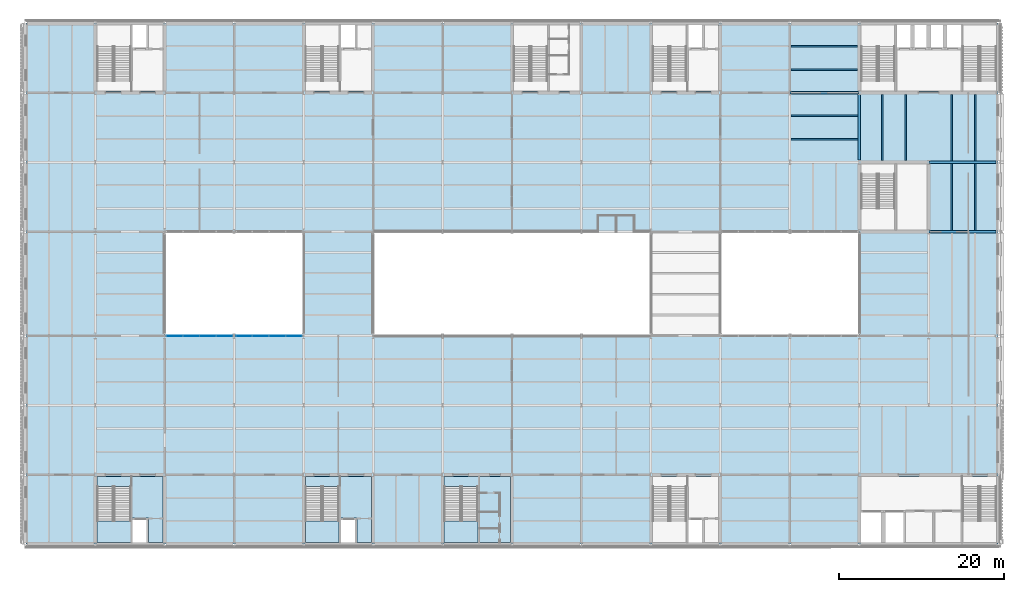
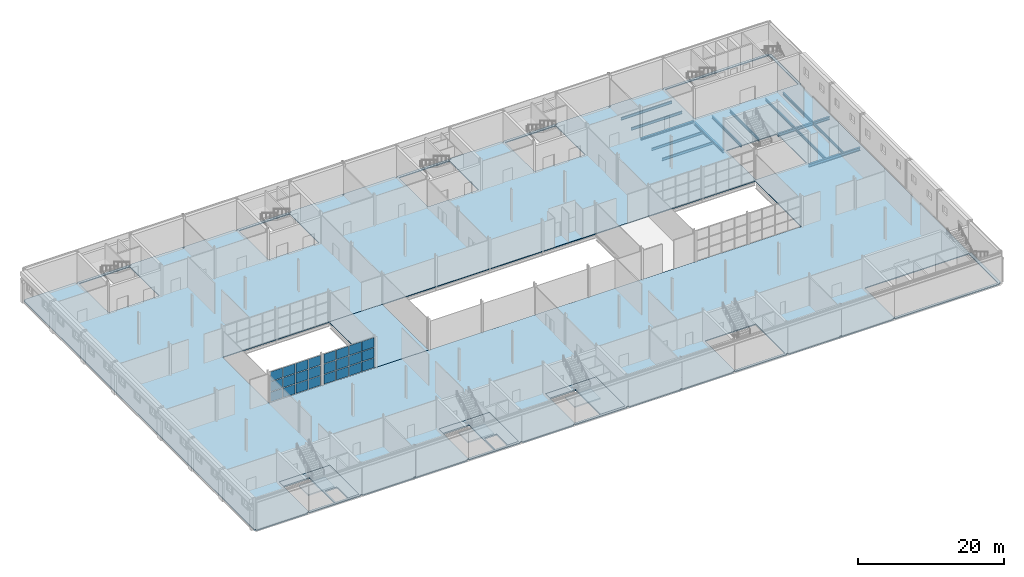
# One storey, part 25 of 57: 24 plates, 14 beams, 8 slabs, 5 elements without a shape of their own.
"""IFC4 building model written with IfcOpenShell, lengths in metres."""

from ifc_helpers import new_model, si_unit, direction, frame, origin, origin_2d, place, context, subcontext, project, spatial, polyline, rectangle, i_section, outline, extrude, material, layer, layer_set, material_profile, profile_set, type_object, element, aggregate, save


model = new_model("IFC4")

# Units and contexts
model_context = context("Model", 3, precision=1e-05, world=origin(), true_north=direction((0.0, 1.0)))
body_context = subcontext(model_context, "Body", "Model", "MODEL_VIEW")
ifc_project = project(units=[si_unit("LENGTHUNIT", "METRE"), si_unit("AREAUNIT", "SQUARE_METRE"), si_unit("VOLUMEUNIT", "CUBIC_METRE"), si_unit("PLANEANGLEUNIT", "RADIAN"), si_unit("MASSUNIT", "GRAM", prefix="KILO")], contexts=[model_context])

# Site, building, storey
site_placement = place(None, origin())
site = spatial("IfcSite", under=ifc_project, at=site_placement, CompositionType="ELEMENT")
building_placement = place(site_placement, origin())
building = spatial("IfcBuilding", under=site, at=building_placement, Name="Galleria Vessillo Department Store", CompositionType="ELEMENT")
storey_placement = place(building_placement, frame((0.0, 0.0, 25.800048828125)))
storey = spatial("IfcBuildingStorey", under=building, at=storey_placement, Name="L05", CompositionType="ELEMENT", Elevation=25.800048828125)

# Beams
ifc_material_1 = material(Name="Steel S355 J2", Category="steel")
ifc_material_profile_1 = material_profile(ifc_material_1, i_section(OverallWidth=0.300048828125, OverallDepth=0.489990234375, WebThickness=0.011962890625, FlangeThickness=0.02294921875, FilletRadius=0.027099609375, at=origin_2d()), Name="HEA 500")
ifc_profile_set_1 = profile_set([ifc_material_profile_1], Name="Steel S355 J2")
beam_type_1 = type_object("IfcBeamType", Name="Floor girder HEA 500", PredefinedType="BEAM", material=ifc_profile_set_1)
beam_1_placement = place(storey_placement, frame((109.210693359375, 46.199951171875, -0.39501953125), z_axis=(1.0, 0.0, 0.0), x_axis=(0.0, 1.0, 0.0)))
element("IfcBeam", 1, at=beam_1_placement, inside=storey, type_object=beam_type_1, Name="S-BM-L05-GI-x46200-109211", PredefinedType="BEAM", context=body_context, shape_type="SweptSolid", body=[
    extrude(i_section(OverallWidth=0.300048828125, OverallDepth=0.489990234375, WebThickness=0.011962890625, FlangeThickness=0.02294921875, FilletRadius=0.027099609375, at=origin_2d()), origin(), (0.0, 0.0, 1.0), 8.150146484375),
])
beam_2_placement = place(storey_placement, frame((100.800048828125, 46.439208984375, -0.39501953125), z_axis=(0.0, 1.0, 0.0), x_axis=(-1.0, 0.0, 0.0)))
element("IfcBeam", 2, at=beam_2_placement, inside=storey, type_object=beam_type_1, Name="S-BM-L05-GI-y100800-46439", PredefinedType="BEAM", context=body_context, shape_type="SweptSolid", body=[
    extrude(i_section(OverallWidth=0.300048828125, OverallDepth=0.489990234375, WebThickness=0.011962890625, FlangeThickness=0.02294921875, FilletRadius=0.027099609375, at=origin_2d()), origin(), (0.0, 0.0, 1.0), 7.921630859375),
])
ifc_material_2 = material(Name="Steel S355 J2", Category="steel")
ifc_material_profile_2 = material_profile(ifc_material_2, i_section(OverallWidth=0.300048828125, OverallDepth=0.5400390625, WebThickness=0.012451171875, FlangeThickness=0.02392578125, FilletRadius=0.027099609375, at=origin_2d()), Name="HEA 550")
ifc_profile_set_2 = profile_set([ifc_material_profile_2], Name="Steel S355 J2")
beam_type_2 = type_object("IfcBeamType", Name="Floor girder HEA 550", PredefinedType="BEAM", material=ifc_profile_set_2)
beam_3_placement = place(storey_placement, frame((109.210693359375, 37.800048828125, -0.419921875), z_axis=(1.0, 0.0, 0.0), x_axis=(0.0, 1.0, 0.0)))
element("IfcBeam", 3, at=beam_3_placement, inside=storey, type_object=beam_type_2, Name="S-BM-L05-GI-x37800-109211", PredefinedType="BEAM", context=body_context, shape_type="SweptSolid", body=[
    extrude(i_section(OverallWidth=0.300048828125, OverallDepth=0.5400390625, WebThickness=0.012451171875, FlangeThickness=0.02392578125, FilletRadius=0.027099609375, at=origin_2d()), origin(), (0.0, 0.0, 1.0), 8.150146484375),
])
ifc_material_3 = material(Name="Steel S355 J2", Category="steel")
ifc_material_profile_3 = material_profile(ifc_material_3, i_section(OverallWidth=0.18994140625, OverallDepth=0.449951171875, WebThickness=0.009521484375, FlangeThickness=0.0146484375, FilletRadius=0.02099609375, at=origin_2d()), Name="IPE 450")
ifc_profile_set_3 = profile_set([ifc_material_profile_3], Name="Steel S355 J2")
beam_type_3 = type_object("IfcBeamType", Name="Floor joist IPE 450", PredefinedType="JOIST", material=ifc_profile_set_3)
for number, where, z_axis, x_axis, name in (
    (4, (92.550048828125, 49.0, -0.375), (1.0, 0.0, 0.0), (0.0, 1.0, 0.0), "S-BM-L05-JO-x49000-92550"),
    (5, (92.550048828125, 51.800048828125, -0.375), (1.0, 0.0, 0.0), (0.0, 1.0, 0.0), "S-BM-L05-JO-x51800-92550"),
):
    element("IfcBeam", number, at=place(storey_placement, frame(where, z_axis=z_axis, x_axis=x_axis)), inside=storey, type_object=beam_type_3, Name=name, PredefinedType="JOIST", context=body_context, shape_type="SweptSolid", body=[
        extrude(i_section(OverallWidth=0.18994140625, OverallDepth=0.449951171875, WebThickness=0.009521484375, FlangeThickness=0.0146484375, FilletRadius=0.02099609375, at=origin_2d()), origin(), (0.0, 0.0, 1.0), 8.099853515625),
    ])
for number, where, z_axis, x_axis, name in (
    (6, (92.550048828125, 57.39990234375, -0.375), (1.0, 0.0, 0.0), (0.0, 1.0, 0.0), "S-BM-L05-JO-x57400-92550"),
    (7, (92.550048828125, 60.199951171875, -0.375), (1.0, 0.0, 0.0), (0.0, 1.0, 0.0), "S-BM-L05-JO-x60200-92550"),
):
    element("IfcBeam", number, at=place(storey_placement, frame(where, z_axis=z_axis, x_axis=x_axis)), inside=storey, type_object=beam_type_3, Name=name, PredefinedType="JOIST", context=body_context, shape_type="SweptSolid", body=[
        extrude(i_section(OverallWidth=0.18994140625, OverallDepth=0.449951171875, WebThickness=0.009521484375, FlangeThickness=0.0146484375, FilletRadius=0.02099609375, at=origin_2d()), origin(), (0.0, 0.0, 1.0), 8.0498046875),
    ])
for number, where, z_axis, x_axis, name in (
    (8, (103.60009765625, 46.400146484375, -0.375), (0.0, 1.0, 0.0), (-1.0, 0.0, 0.0), "S-BM-L05-JO-y103600-46400"),
    (9, (106.39990234375, 46.400146484375, -0.375), (0.0, 1.0, 0.0), (-1.0, 0.0, 0.0), "S-BM-L05-JO-y106400-46400"),
):
    element("IfcBeam", number, at=place(storey_placement, frame(where, z_axis=z_axis, x_axis=x_axis)), inside=storey, type_object=beam_type_3, Name=name, PredefinedType="JOIST", context=body_context, shape_type="SweptSolid", body=[
        extrude(i_section(OverallWidth=0.18994140625, OverallDepth=0.449951171875, WebThickness=0.009521484375, FlangeThickness=0.0146484375, FilletRadius=0.02099609375, at=origin_2d()), origin(), (0.0, 0.0, 1.0), 7.999755859375),
    ])
for number, where, z_axis, x_axis, name in (
    (10, (112.0, 37.9501953125, -0.375), (0.0, 1.0, 0.0), (-1.0, 0.0, 0.0), "S-BM-L05-JO-y112000-37950"),
    (11, (114.800048828125, 37.9501953125, -0.375), (0.0, 1.0, 0.0), (-1.0, 0.0, 0.0), "S-BM-L05-JO-y114800-37950"),
):
    element("IfcBeam", number, at=place(storey_placement, frame(where, z_axis=z_axis, x_axis=x_axis)), inside=storey, type_object=beam_type_3, Name=name, PredefinedType="JOIST", context=body_context, shape_type="SweptSolid", body=[
        extrude(i_section(OverallWidth=0.18994140625, OverallDepth=0.449951171875, WebThickness=0.009521484375, FlangeThickness=0.0146484375, FilletRadius=0.02099609375, at=origin_2d()), origin(), (0.0, 0.0, 1.0), 8.099609375),
    ])
for number, where, z_axis, x_axis, name in (
    (12, (112.0, 46.35009765625, -0.375), (0.0, 1.0, 0.0), (-1.0, 0.0, 0.0), "S-BM-L05-JO-y112000-46350"),
    (13, (114.800048828125, 46.35009765625, -0.375), (0.0, 1.0, 0.0), (-1.0, 0.0, 0.0), "S-BM-L05-JO-y114800-46350"),
):
    element("IfcBeam", number, at=place(storey_placement, frame(where, z_axis=z_axis, x_axis=x_axis)), inside=storey, type_object=beam_type_3, Name=name, PredefinedType="JOIST", context=body_context, shape_type="SweptSolid", body=[
        extrude(i_section(OverallWidth=0.18994140625, OverallDepth=0.449951171875, WebThickness=0.009521484375, FlangeThickness=0.0146484375, FilletRadius=0.02099609375, at=origin_2d()), origin(), (0.0, 0.0, 1.0), 8.0498046875),
    ])
ifc_material_4 = material(Name="Steel S355 J2", Category="steel")
ifc_material_profile_4 = material_profile(ifc_material_4, i_section(OverallWidth=0.300048828125, OverallDepth=0.35009765625, WebThickness=0.010009765625, FlangeThickness=0.017578125, FilletRadius=0.027099609375, at=origin_2d()), Name="HEA 360")
ifc_profile_set_4 = profile_set([ifc_material_profile_4], Name="Steel S355 J2")
beam_type_4 = type_object("IfcBeamType", Name="Floor tie girder HEA 360", PredefinedType="BEAM", material=ifc_profile_set_4)
beam_4_placement = place(storey_placement, frame((92.41064453125, 54.60009765625, -0.324951171875), z_axis=(1.0, 0.0, 0.0), x_axis=(0.0, 1.0, 0.0)))
element("IfcBeam", 14, at=beam_4_placement, inside=storey, type_object=beam_type_4, Name="S-BM-L05-TI-x54600-92411", PredefinedType="BEAM", context=body_context, shape_type="SweptSolid", body=[
    extrude(i_section(OverallWidth=0.300048828125, OverallDepth=0.35009765625, WebThickness=0.010009765625, FlangeThickness=0.017578125, FilletRadius=0.027099609375, at=origin_2d()), origin(), (0.0, 0.0, 1.0), 8.378662109375),
])

# Slabs
ifc_material_5 = material(Name="Concrete C32/40 composite on steel deck", Category="concrete")
ifc_layer_1 = layer(ifc_material_5, 0.14990234375)
ifc_layer_set_1 = layer_set([ifc_layer_1], Name="Concrete C32/40 composite on steel deck")
slab_type_1 = type_object("IfcSlabType", Name="Composite bridge slab 150 mm", PredefinedType="FLOOR", material=ifc_layer_set_1)
slab_1_placement = place(storey_placement, frame((0.0, 0.0, -0.14990234375)))
element("IfcSlab", 15, at=slab_1_placement, inside=storey, type_object=slab_type_1, Name="S-SLAB-L05-BRIDGE-W", PredefinedType="FLOOR", context=body_context, shape_type="SweptSolid", body=[
    extrude(outline(polyline([(42.0, 25.199951171875), (42.0, 37.800048828125), (33.60009765625, 37.800048828125), (33.60009765625, 25.199951171875), (42.0, 25.199951171875)])), origin(), (0.0, 0.0, 1.0), 0.14990234375),
])
ifc_material_6 = material(Name="Concrete C32/40 composite on steel deck", Category="concrete")
ifc_layer_2 = layer(ifc_material_6, 0.14990234375)
ifc_layer_set_2 = layer_set([ifc_layer_2], Name="Concrete C32/40 composite on steel deck")
slab_type_2 = type_object("IfcSlabType", Name="Composite floor slab 150 mm", PredefinedType="FLOOR", material=ifc_layer_set_2)
slab_2_placement = place(storey_placement, frame((0.0, 0.0, -0.14990234375)))
element("IfcSlab", 16, at=slab_2_placement, inside=storey, type_object=slab_type_2, Name="S-SLAB-L05-FLOOR", PredefinedType="FLOOR", context=body_context, shape_type="SweptSolid", body=[
    extrude(outline(polyline([(84.154052734375, 0.0), (83.849365234375, 0.0), (83.849365234375, -0.199462890625), (75.750732421875, -0.199462890625), (75.750732421875, 0.0), (75.449462890625, 0.0), (75.449462890625, -0.24951171875), (58.95068359375, -0.24951171875), (58.95068359375, 0.0), (58.6494140625, 0.0), (58.6494140625, -0.199462890625), (50.550537109375, -0.199462890625), (50.550537109375, 0.0), (50.249267578125, 0.0), (50.249267578125, -0.24951171875), (42.150634765625, -0.24951171875), (42.150634765625, 0.0), (41.849365234375, 0.0), (41.849365234375, -0.199462890625), (33.750732421875, -0.199462890625), (33.750732421875, 0.0), (33.449462890625, 0.0), (33.449462890625, -0.24951171875), (16.95068359375, -0.24951171875), (16.95068359375, 0.0), (16.6494140625, 0.0), (16.6494140625, -0.199462890625), (8.550537109375, -0.199462890625), (8.550537109375, 0.0), (8.249267578125, 0.0), (8.249267578125, -0.24951171875), (0.20068359375, -0.24951171875), (0.20068359375, 0.0), (0.0, 0.0), (0.0, 63.0), (0.20068359375, 63.0), (0.20068359375, 63.24951171875), (8.249267578125, 63.24951171875), (8.249267578125, 63.0), (8.550537109375, 63.0), (8.550537109375, 63.199462890625), (16.6494140625, 63.199462890625), (16.6494140625, 63.0), (16.95068359375, 63.0), (16.95068359375, 63.24951171875), (33.449462890625, 63.24951171875), (33.449462890625, 63.0), (33.750732421875, 63.0), (33.750732421875, 63.199462890625), (41.849365234375, 63.199462890625), (41.849365234375, 63.0), (42.150634765625, 63.0), (42.150634765625, 63.24951171875), (58.6494140625, 63.24951171875), (58.6494140625, 63.0), (58.95068359375, 63.0), (58.95068359375, 63.199462890625), (67.04931640625, 63.199462890625), (67.04931640625, 63.0), (67.3505859375, 63.0), (67.3505859375, 63.24951171875), (75.449462890625, 63.24951171875), (75.449462890625, 63.0), (75.750732421875, 63.0), (75.750732421875, 63.199462890625), (83.845947265625, 63.199462890625), (83.845947265625, 63.0), (84.154052734375, 63.0), (84.154052734375, 63.24951171875), (100.64599609375, 63.24951171875), (100.64599609375, 63.0), (100.9541015625, 63.0), (100.9541015625, 63.199462890625), (117.360595703125, 63.199462890625), (117.360595703125, 63.0), (117.60009765625, 63.0), (117.60009765625, 62.845947265625), (117.79931640625, 62.845947265625), (117.79931640625, 54.754150390625), (117.60009765625, 54.754150390625), (117.60009765625, 8.249267578125), (117.79931640625, 8.249267578125), (117.79931640625, 0.150634765625), (117.60009765625, 0.150634765625), (117.60009765625, 0.0), (117.3994140625, 0.0), (117.3994140625, -0.150634765625), (117.400146484375, -0.199462890625), (100.95068359375, -0.199462890625), (100.95068359375, 0.0), (100.64599609375, 0.0), (100.64599609375, -0.24951171875), (84.154052734375, -0.24951171875), (84.154052734375, 0.0)]), holes=[polyline([(101.0, 54.800048828125), (117.400146484375, 54.800048828125), (117.400146484375, 62.800048828125), (101.0, 62.800048828125), (101.0, 54.800048828125)]), polyline([(101.0, 0.199951171875), (117.400146484375, 0.199951171875), (117.400146484375, 8.199951171875), (101.0, 8.199951171875), (101.0, 0.199951171875)]), polyline([(109.0, 38.0), (109.0, 46.0), (101.0, 46.0), (101.0, 38.0), (109.0, 38.0)]), polyline([(100.800048828125, 25.199951171875), (100.800048828125, 37.800048828125), (16.800048828125, 37.800048828125), (16.800048828125, 25.199951171875), (100.800048828125, 25.199951171875)]), polyline([(92.553955078125, 63.239501953125), (92.245849609375, 63.239501953125), (92.245849609375, 63.0), (92.553955078125, 63.0), (92.553955078125, 63.239501953125)]), polyline([(92.249267578125, -0.20068359375), (92.550537109375, -0.20068359375), (92.550537109375, 0.0), (92.249267578125, 0.0), (92.249267578125, -0.20068359375)]), polyline([(75.800048828125, 54.800048828125), (83.800048828125, 54.800048828125), (83.800048828125, 62.800048828125), (75.800048828125, 62.800048828125), (75.800048828125, 54.800048828125)]), polyline([(75.800048828125, 0.199951171875), (83.800048828125, 0.199951171875), (83.800048828125, 8.199951171875), (75.800048828125, 8.199951171875), (75.800048828125, 0.199951171875)]), polyline([(67.3505859375, -0.20068359375), (67.3505859375, 0.0), (67.04931640625, 0.0), (67.04931640625, -0.20068359375), (67.3505859375, -0.20068359375)]), polyline([(67.0, 54.800048828125), (67.0, 62.800048828125), (59.0, 62.800048828125), (59.0, 54.800048828125), (67.0, 54.800048828125)]), polyline([(58.60009765625, 0.199951171875), (58.60009765625, 8.199951171875), (50.599853515625, 8.199951171875), (50.599853515625, 0.199951171875), (58.60009765625, 0.199951171875)]), polyline([(50.249267578125, 63.0), (50.550537109375, 63.0), (50.550537109375, 63.20068359375), (50.249267578125, 63.20068359375), (50.249267578125, 63.0)]), polyline([(41.800048828125, 0.199951171875), (41.800048828125, 8.199951171875), (33.800048828125, 8.199951171875), (33.800048828125, 0.199951171875), (41.800048828125, 0.199951171875)]), polyline([(33.800048828125, 54.800048828125), (41.800048828125, 54.800048828125), (41.800048828125, 62.800048828125), (33.800048828125, 62.800048828125), (33.800048828125, 54.800048828125)]), polyline([(25.3505859375, 63.0), (25.3505859375, 63.20068359375), (25.04931640625, 63.20068359375), (25.04931640625, 63.0), (25.3505859375, 63.0)]), polyline([(25.04931640625, 0.0), (25.04931640625, -0.20068359375), (25.3505859375, -0.20068359375), (25.3505859375, 0.0), (25.04931640625, 0.0)]), polyline([(8.599853515625, 54.800048828125), (16.60009765625, 54.800048828125), (16.60009765625, 62.800048828125), (8.599853515625, 62.800048828125), (8.599853515625, 54.800048828125)]), polyline([(16.60009765625, 0.199951171875), (16.60009765625, 8.199951171875), (8.599853515625, 8.199951171875), (8.599853515625, 0.199951171875), (16.60009765625, 0.199951171875)])]), origin(), (0.0, 0.0, 1.0), 0.14990234375),
])

# Curtain wall, plates
ifc_material_7 = material(Name="Steel and fire-resisting glass curtain wall", Category="steel")
ifc_layer_3 = layer(ifc_material_7, 0.199951171875)
ifc_layer_set_3 = layer_set([ifc_layer_3], Name="Steel and fire-resisting glass curtain wall")
curtain_wall_type = type_object("IfcCurtainWallType", Name="Arcade fire-resisting glazed shopfront EI 120-Sa", PredefinedType="NOTDEFINED", material=ifc_layer_set_3)
curtain_wall_1_placement = place(storey_placement, origin())
curtain_wall_1 = element("IfcCurtainWall", 17, at=curtain_wall_1_placement, inside=storey, type_object=curtain_wall_type, Name="Arcade fire-resisting glazed shopfront EI 120-Sa AI-AW-S-L05-01", PredefinedType="NOTDEFINED")
ifc_material_8 = material(Name="Fire-resisting laminated glass EI 120", Category="glass")
ifc_layer_4 = layer(ifc_material_8, 0.052001953125)
ifc_layer_set_4 = layer_set([ifc_layer_4], Name="Fire-resisting laminated glass EI 120")
plate_type = type_object("IfcPlateType", Name="Fire-resisting glass panel 52 mm EI 120", PredefinedType="CURTAIN_PANEL", material=ifc_layer_set_4)
plate_1_placement = place(storey_placement, frame((17.989501953125, 25.199951171875, 0.10009765625), z_axis=(0.0, 0.0, 1.0), x_axis=(1.0, 0.0, 0.0)))
plate_1 = element("IfcPlate", 18, at=plate_1_placement, type_object=plate_type, Name="CW7 panel 1.1", PredefinedType="CURTAIN_PANEL", context=body_context, shape_type="SweptSolid", body=[
    extrude(rectangle(XDim=1.87353515625, YDim=0.052001953125, at=origin_2d()), origin(), (0.0, 0.0, 1.0), 1.583251953125),
])
plate_2_placement = place(storey_placement, frame((17.989501953125, 25.199951171875, 1.783447265625), z_axis=(0.0, 0.0, 1.0), x_axis=(1.0, 0.0, 0.0)))
plate_2 = element("IfcPlate", 19, at=plate_2_placement, type_object=plate_type, Name="CW7 panel 1.2", PredefinedType="CURTAIN_PANEL", context=body_context, shape_type="SweptSolid", body=[
    extrude(rectangle(XDim=1.87353515625, YDim=0.052001953125, at=origin_2d()), origin(), (0.0, 0.0, 1.0), 1.63330078125),
])
plate_3_placement = place(storey_placement, frame((17.989501953125, 25.199951171875, 3.5166015625), z_axis=(0.0, 0.0, 1.0), x_axis=(1.0, 0.0, 0.0)))
plate_3 = element("IfcPlate", 20, at=plate_3_placement, type_object=plate_type, Name="CW7 panel 1.3", PredefinedType="CURTAIN_PANEL", context=body_context, shape_type="SweptSolid", body=[
    extrude(rectangle(XDim=1.87353515625, YDim=0.052001953125, at=origin_2d()), origin(), (0.0, 0.0, 1.0), 1.583251953125),
])
plate_4_placement = place(storey_placement, frame((19.988037109375, 25.199951171875, 0.10009765625), z_axis=(0.0, 0.0, 1.0), x_axis=(1.0, 0.0, 0.0)))
plate_4 = element("IfcPlate", 21, at=plate_4_placement, type_object=plate_type, Name="CW7 panel 2.1", PredefinedType="CURTAIN_PANEL", context=body_context, shape_type="SweptSolid", body=[
    extrude(rectangle(XDim=1.923583984375, YDim=0.052001953125, at=origin_2d()), origin(), (0.0, 0.0, 1.0), 1.583251953125),
])
plate_5_placement = place(storey_placement, frame((19.988037109375, 25.199951171875, 1.783447265625), z_axis=(0.0, 0.0, 1.0), x_axis=(1.0, 0.0, 0.0)))
plate_5 = element("IfcPlate", 22, at=plate_5_placement, type_object=plate_type, Name="CW7 panel 2.2", PredefinedType="CURTAIN_PANEL", context=body_context, shape_type="SweptSolid", body=[
    extrude(rectangle(XDim=1.923583984375, YDim=0.052001953125, at=origin_2d()), origin(), (0.0, 0.0, 1.0), 1.63330078125),
])
plate_6_placement = place(storey_placement, frame((19.988037109375, 25.199951171875, 3.5166015625), z_axis=(0.0, 0.0, 1.0), x_axis=(1.0, 0.0, 0.0)))
plate_6 = element("IfcPlate", 23, at=plate_6_placement, type_object=plate_type, Name="CW7 panel 2.3", PredefinedType="CURTAIN_PANEL", context=body_context, shape_type="SweptSolid", body=[
    extrude(rectangle(XDim=1.923583984375, YDim=0.052001953125, at=origin_2d()), origin(), (0.0, 0.0, 1.0), 1.583251953125),
])
plate_7_placement = place(storey_placement, frame((22.011474609375, 25.199951171875, 0.10009765625), z_axis=(0.0, 0.0, 1.0), x_axis=(1.0, 0.0, 0.0)))
plate_7 = element("IfcPlate", 24, at=plate_7_placement, type_object=plate_type, Name="CW7 panel 3.1", PredefinedType="CURTAIN_PANEL", context=body_context, shape_type="SweptSolid", body=[
    extrude(rectangle(XDim=1.923583984375, YDim=0.052001953125, at=origin_2d()), origin(), (0.0, 0.0, 1.0), 1.583251953125),
])
plate_8_placement = place(storey_placement, frame((22.011474609375, 25.199951171875, 1.783447265625), z_axis=(0.0, 0.0, 1.0), x_axis=(1.0, 0.0, 0.0)))
plate_8 = element("IfcPlate", 25, at=plate_8_placement, type_object=plate_type, Name="CW7 panel 3.2", PredefinedType="CURTAIN_PANEL", context=body_context, shape_type="SweptSolid", body=[
    extrude(rectangle(XDim=1.923583984375, YDim=0.052001953125, at=origin_2d()), origin(), (0.0, 0.0, 1.0), 1.63330078125),
])
plate_9_placement = place(storey_placement, frame((22.011474609375, 25.199951171875, 3.5166015625), z_axis=(0.0, 0.0, 1.0), x_axis=(1.0, 0.0, 0.0)))
plate_9 = element("IfcPlate", 26, at=plate_9_placement, type_object=plate_type, Name="CW7 panel 3.3", PredefinedType="CURTAIN_PANEL", context=body_context, shape_type="SweptSolid", body=[
    extrude(rectangle(XDim=1.923583984375, YDim=0.052001953125, at=origin_2d()), origin(), (0.0, 0.0, 1.0), 1.583251953125),
])
plate_10_placement = place(storey_placement, frame((24.010009765625, 25.199951171875, 0.10009765625), z_axis=(0.0, 0.0, 1.0), x_axis=(1.0, 0.0, 0.0)))
plate_10 = element("IfcPlate", 27, at=plate_10_placement, type_object=plate_type, Name="CW7 panel 4.1", PredefinedType="CURTAIN_PANEL", context=body_context, shape_type="SweptSolid", body=[
    extrude(rectangle(XDim=1.87353515625, YDim=0.052001953125, at=origin_2d()), origin(), (0.0, 0.0, 1.0), 1.583251953125),
])
plate_11_placement = place(storey_placement, frame((24.010009765625, 25.199951171875, 1.783447265625), z_axis=(0.0, 0.0, 1.0), x_axis=(1.0, 0.0, 0.0)))
plate_11 = element("IfcPlate", 28, at=plate_11_placement, type_object=plate_type, Name="CW7 panel 4.2", PredefinedType="CURTAIN_PANEL", context=body_context, shape_type="SweptSolid", body=[
    extrude(rectangle(XDim=1.87353515625, YDim=0.052001953125, at=origin_2d()), origin(), (0.0, 0.0, 1.0), 1.63330078125),
])
plate_12_placement = place(storey_placement, frame((24.010009765625, 25.199951171875, 3.5166015625), z_axis=(0.0, 0.0, 1.0), x_axis=(1.0, 0.0, 0.0)))
plate_12 = element("IfcPlate", 29, at=plate_12_placement, type_object=plate_type, Name="CW7 panel 4.3", PredefinedType="CURTAIN_PANEL", context=body_context, shape_type="SweptSolid", body=[
    extrude(rectangle(XDim=1.87353515625, YDim=0.052001953125, at=origin_2d()), origin(), (0.0, 0.0, 1.0), 1.583251953125),
])
aggregate(curtain_wall_1, [plate_1, plate_2, plate_3, plate_4, plate_5, plate_6, plate_7, plate_8, plate_9, plate_10, plate_11, plate_12])

curtain_wall_2_placement = place(storey_placement, origin())
curtain_wall_2 = element("IfcCurtainWall", 30, at=curtain_wall_2_placement, inside=storey, type_object=curtain_wall_type, Name="Arcade fire-resisting glazed shopfront EI 120-Sa AI-AW-S-L05-02", PredefinedType="NOTDEFINED")
plate_13_placement = place(storey_placement, frame((26.389892578125, 25.199951171875, 0.10009765625), z_axis=(0.0, 0.0, 1.0), x_axis=(1.0, 0.0, 0.0)))
plate_13 = element("IfcPlate", 31, at=plate_13_placement, type_object=plate_type, Name="CW7 panel 1.1", PredefinedType="CURTAIN_PANEL", context=body_context, shape_type="SweptSolid", body=[
    extrude(rectangle(XDim=1.87353515625, YDim=0.052001953125, at=origin_2d()), origin(), (0.0, 0.0, 1.0), 1.583251953125),
])
plate_14_placement = place(storey_placement, frame((26.389892578125, 25.199951171875, 1.783447265625), z_axis=(0.0, 0.0, 1.0), x_axis=(1.0, 0.0, 0.0)))
plate_14 = element("IfcPlate", 32, at=plate_14_placement, type_object=plate_type, Name="CW7 panel 1.2", PredefinedType="CURTAIN_PANEL", context=body_context, shape_type="SweptSolid", body=[
    extrude(rectangle(XDim=1.87353515625, YDim=0.052001953125, at=origin_2d()), origin(), (0.0, 0.0, 1.0), 1.63330078125),
])
plate_15_placement = place(storey_placement, frame((26.389892578125, 25.199951171875, 3.5166015625), z_axis=(0.0, 0.0, 1.0), x_axis=(1.0, 0.0, 0.0)))
plate_15 = element("IfcPlate", 33, at=plate_15_placement, type_object=plate_type, Name="CW7 panel 1.3", PredefinedType="CURTAIN_PANEL", context=body_context, shape_type="SweptSolid", body=[
    extrude(rectangle(XDim=1.87353515625, YDim=0.052001953125, at=origin_2d()), origin(), (0.0, 0.0, 1.0), 1.583251953125),
])
plate_16_placement = place(storey_placement, frame((28.388427734375, 25.199951171875, 0.10009765625), z_axis=(0.0, 0.0, 1.0), x_axis=(1.0, 0.0, 0.0)))
plate_16 = element("IfcPlate", 34, at=plate_16_placement, type_object=plate_type, Name="CW7 panel 2.1", PredefinedType="CURTAIN_PANEL", context=body_context, shape_type="SweptSolid", body=[
    extrude(rectangle(XDim=1.923583984375, YDim=0.052001953125, at=origin_2d()), origin(), (0.0, 0.0, 1.0), 1.583251953125),
])
plate_17_placement = place(storey_placement, frame((28.388427734375, 25.199951171875, 1.783447265625), z_axis=(0.0, 0.0, 1.0), x_axis=(1.0, 0.0, 0.0)))
plate_17 = element("IfcPlate", 35, at=plate_17_placement, type_object=plate_type, Name="CW7 panel 2.2", PredefinedType="CURTAIN_PANEL", context=body_context, shape_type="SweptSolid", body=[
    extrude(rectangle(XDim=1.923583984375, YDim=0.052001953125, at=origin_2d()), origin(), (0.0, 0.0, 1.0), 1.63330078125),
])
plate_18_placement = place(storey_placement, frame((28.388427734375, 25.199951171875, 3.5166015625), z_axis=(0.0, 0.0, 1.0), x_axis=(1.0, 0.0, 0.0)))
plate_18 = element("IfcPlate", 36, at=plate_18_placement, type_object=plate_type, Name="CW7 panel 2.3", PredefinedType="CURTAIN_PANEL", context=body_context, shape_type="SweptSolid", body=[
    extrude(rectangle(XDim=1.923583984375, YDim=0.052001953125, at=origin_2d()), origin(), (0.0, 0.0, 1.0), 1.583251953125),
])
plate_19_placement = place(storey_placement, frame((30.412109375, 25.199951171875, 0.10009765625), z_axis=(0.0, 0.0, 1.0), x_axis=(1.0, 0.0, 0.0)))
plate_19 = element("IfcPlate", 37, at=plate_19_placement, type_object=plate_type, Name="CW7 panel 3.1", PredefinedType="CURTAIN_PANEL", context=body_context, shape_type="SweptSolid", body=[
    extrude(rectangle(XDim=1.923583984375, YDim=0.052001953125, at=origin_2d()), origin(), (0.0, 0.0, 1.0), 1.583251953125),
])
plate_20_placement = place(storey_placement, frame((30.412109375, 25.199951171875, 1.783447265625), z_axis=(0.0, 0.0, 1.0), x_axis=(1.0, 0.0, 0.0)))
plate_20 = element("IfcPlate", 38, at=plate_20_placement, type_object=plate_type, Name="CW7 panel 3.2", PredefinedType="CURTAIN_PANEL", context=body_context, shape_type="SweptSolid", body=[
    extrude(rectangle(XDim=1.923583984375, YDim=0.052001953125, at=origin_2d()), origin(), (0.0, 0.0, 1.0), 1.63330078125),
])
plate_21_placement = place(storey_placement, frame((30.412109375, 25.199951171875, 3.5166015625), z_axis=(0.0, 0.0, 1.0), x_axis=(1.0, 0.0, 0.0)))
plate_21 = element("IfcPlate", 39, at=plate_21_placement, type_object=plate_type, Name="CW7 panel 3.3", PredefinedType="CURTAIN_PANEL", context=body_context, shape_type="SweptSolid", body=[
    extrude(rectangle(XDim=1.923583984375, YDim=0.052001953125, at=origin_2d()), origin(), (0.0, 0.0, 1.0), 1.583251953125),
])
plate_22_placement = place(storey_placement, frame((32.41064453125, 25.199951171875, 0.10009765625), z_axis=(0.0, 0.0, 1.0), x_axis=(1.0, 0.0, 0.0)))
plate_22 = element("IfcPlate", 40, at=plate_22_placement, type_object=plate_type, Name="CW7 panel 4.1", PredefinedType="CURTAIN_PANEL", context=body_context, shape_type="SweptSolid", body=[
    extrude(rectangle(XDim=1.87353515625, YDim=0.052001953125, at=origin_2d()), origin(), (0.0, 0.0, 1.0), 1.583251953125),
])
plate_23_placement = place(storey_placement, frame((32.41064453125, 25.199951171875, 1.783447265625), z_axis=(0.0, 0.0, 1.0), x_axis=(1.0, 0.0, 0.0)))
plate_23 = element("IfcPlate", 41, at=plate_23_placement, type_object=plate_type, Name="CW7 panel 4.2", PredefinedType="CURTAIN_PANEL", context=body_context, shape_type="SweptSolid", body=[
    extrude(rectangle(XDim=1.87353515625, YDim=0.052001953125, at=origin_2d()), origin(), (0.0, 0.0, 1.0), 1.63330078125),
])
plate_24_placement = place(storey_placement, frame((32.41064453125, 25.199951171875, 3.5166015625), z_axis=(0.0, 0.0, 1.0), x_axis=(1.0, 0.0, 0.0)))
plate_24 = element("IfcPlate", 42, at=plate_24_placement, type_object=plate_type, Name="CW7 panel 4.3", PredefinedType="CURTAIN_PANEL", context=body_context, shape_type="SweptSolid", body=[
    extrude(rectangle(XDim=1.87353515625, YDim=0.052001953125, at=origin_2d()), origin(), (0.0, 0.0, 1.0), 1.583251953125),
])
aggregate(curtain_wall_2, [plate_13, plate_14, plate_15, plate_16, plate_17, plate_18, plate_19, plate_20, plate_21, plate_22, plate_23, plate_24])

# Slabs
ifc_material_9 = material(Name="Concrete C32/40 reinforced", Category="concrete")
ifc_layer_5 = layer(ifc_material_9, 0.219970703125)
ifc_layer_set_5 = layer_set([ifc_layer_5], Name="Concrete C32/40 reinforced")
slab_type_3 = type_object("IfcSlabType", Name="Reinforced concrete core floor slab 220 mm", PredefinedType="FLOOR", material=ifc_layer_set_5)
slab_3_placement = place(storey_placement, frame((0.0, 0.0, -0.219970703125)))
element("IfcSlab", 43, at=slab_3_placement, inside=storey, type_object=slab_type_3, Name="S-SLAB-L05-CORE-PC-SW", PredefinedType="FLOOR", context=body_context, shape_type="SweptSolid", body=[
    extrude(outline(polyline([(8.599853515625, 8.199951171875), (16.60009765625, 8.199951171875), (16.60009765625, 0.199951171875), (14.85009765625, 0.199951171875), (14.85009765625, 3.199951171875), (12.89990234375, 3.199951171875), (12.89990234375, 0.199951171875), (12.699951171875, 0.199951171875), (12.699951171875, 7.0), (8.60009765625, 7.0), (8.60009765625, 0.199951171875), (8.599853515625, 8.199951171875)])), origin(), (0.0, 0.0, 1.0), 0.219970703125),
])
slab_4_placement = place(storey_placement, frame((0.0, 0.0, -0.219970703125)))
element("IfcSlab", 44, at=slab_4_placement, inside=storey, type_object=slab_type_3, Name="S-SLAB-L05-CORE-PC-SM", PredefinedType="FLOOR", context=body_context, shape_type="SweptSolid", body=[
    extrude(outline(polyline([(33.800048828125, 8.199951171875), (41.800048828125, 8.199951171875), (41.800048828125, 0.199951171875), (40.050048828125, 0.199951171875), (40.050048828125, 3.199951171875), (38.10009765625, 3.199951171875), (38.10009765625, 0.199951171875), (37.89990234375, 0.199951171875), (37.89990234375, 7.0), (33.800048828125, 7.0), (33.800048828125, 8.199951171875)])), origin(), (0.0, 0.0, 1.0), 0.219970703125),
])
slab_5_placement = place(storey_placement, frame((0.0, 0.0, -0.219970703125)))
element("IfcSlab", 45, at=slab_5_placement, inside=storey, type_object=slab_type_3, Name="S-SLAB-L05-CORE-PC-SC", PredefinedType="FLOOR", context=body_context, shape_type="SweptSolid", body=[
    extrude(outline(polyline([(50.599853515625, 8.199951171875), (58.60009765625, 8.199951171875), (58.60009765625, 0.199951171875), (54.699951171875, 0.199951171875), (54.699951171875, 7.0), (50.60009765625, 7.0), (50.60009765625, 0.199951171875), (50.599853515625, 8.199951171875)])), origin(), (0.0, 0.0, 1.0), 0.219970703125),
])

# Stair, slab
ifc_material_10 = material(Name="Concrete C32/40", Category="concrete")
stair_type = type_object("IfcStairType", Name="Half-turn escape stair 2000 mm, 32 risers of 169 mm", PredefinedType="HALF_TURN_STAIR", material=ifc_material_10)
stair_1_placement = place(storey_placement, origin())
stair_1 = element("IfcStair", 46, at=stair_1_placement, inside=storey, type_object=stair_type, Name="Stair ST1 L05", PredefinedType="HALF_TURN_STAIR")
ifc_material_11 = material(Name="Concrete C32/40", Category="concrete")
ifc_layer_6 = layer(ifc_material_11, 0.199951171875)
ifc_layer_set_6 = layer_set([ifc_layer_6], Name="Concrete C32/40")
slab_type_4 = type_object("IfcSlabType", Name="Stair half landing 4100 x 2600 mm", PredefinedType="LANDING", material=ifc_layer_set_6)
slab_6_placement = place(storey_placement, frame((0.0, 0.0, 2.5)))
slab_6 = element("IfcSlab", 47, at=slab_6_placement, type_object=slab_type_4, Name="ST1 landing 1", PredefinedType="LANDING", context=body_context, shape_type="SweptSolid", body=[
    extrude(outline(polyline([(8.599853515625, 0.199951171875), (8.599853515625, 2.800048828125), (12.699951171875, 2.800048828125), (12.699951171875, 0.199951171875), (8.599853515625, 0.199951171875)])), origin(), (0.0, 0.0, 1.0), 0.199951171875),
])
aggregate(stair_1, [slab_6])

stair_2_placement = place(storey_placement, origin())
stair_2 = element("IfcStair", 48, at=stair_2_placement, inside=storey, type_object=stair_type, Name="Stair ST3 L05", PredefinedType="HALF_TURN_STAIR")
slab_7_placement = place(storey_placement, frame((0.0, 0.0, 2.5)))
slab_7 = element("IfcSlab", 49, at=slab_7_placement, type_object=slab_type_4, Name="ST3 landing 1", PredefinedType="LANDING", context=body_context, shape_type="SweptSolid", body=[
    extrude(outline(polyline([(33.800048828125, 0.199951171875), (33.800048828125, 2.800048828125), (37.900146484375, 2.800048828125), (37.900146484375, 0.199951171875), (33.800048828125, 0.199951171875)])), origin(), (0.0, 0.0, 1.0), 0.199951171875),
])
aggregate(stair_2, [slab_7])

stair_3_placement = place(storey_placement, origin())
stair_3 = element("IfcStair", 50, at=stair_3_placement, inside=storey, type_object=stair_type, Name="Stair ST10 L05", PredefinedType="HALF_TURN_STAIR")
slab_8_placement = place(storey_placement, frame((0.0, 0.0, 2.5)))
slab_8 = element("IfcSlab", 51, at=slab_8_placement, type_object=slab_type_4, Name="ST10 landing 1", PredefinedType="LANDING", context=body_context, shape_type="SweptSolid", body=[
    extrude(outline(polyline([(50.599853515625, 0.199951171875), (50.599853515625, 2.800048828125), (54.699951171875, 2.800048828125), (54.699951171875, 0.199951171875), (50.599853515625, 0.199951171875)])), origin(), (0.0, 0.0, 1.0), 0.199951171875),
])
aggregate(stair_3, [slab_8])

save(model, "model.ifc")
